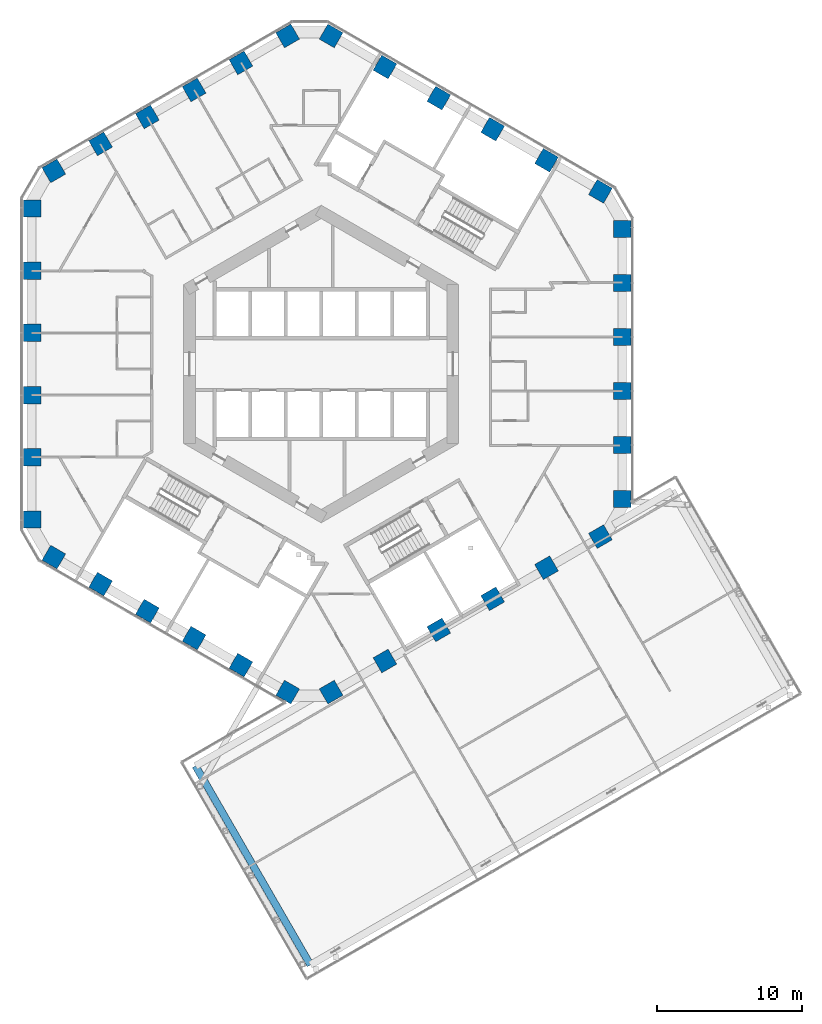
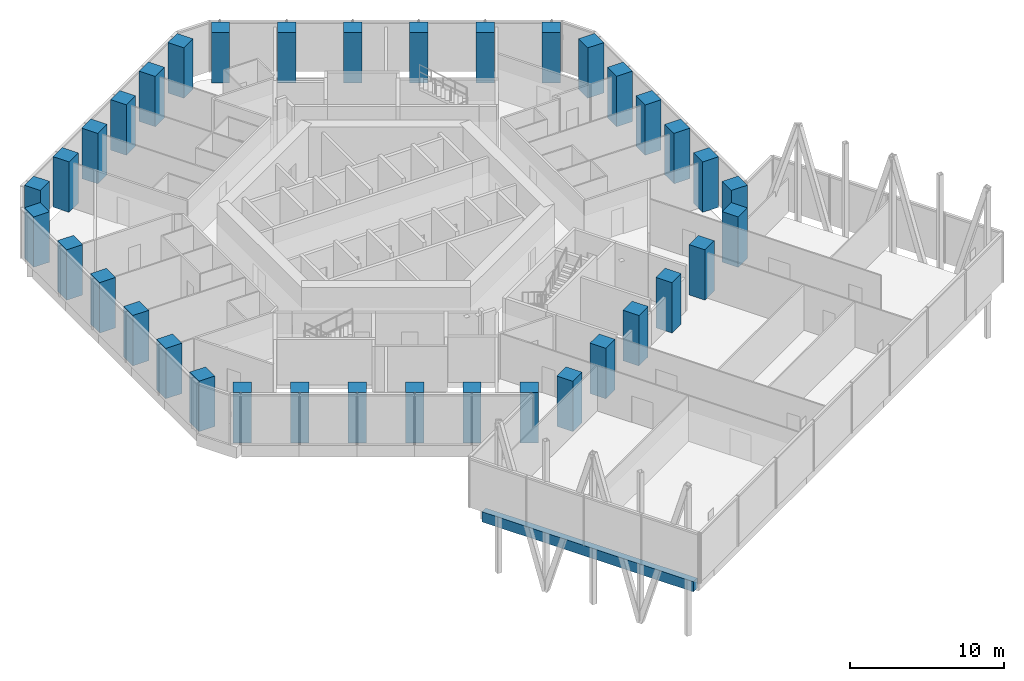
# One storey, part 1 of 27: 36 columns, 1 beam.
"""IFC4 building model written with IfcOpenShell, lengths in metres."""

import ifcopenshell
import ifcopenshell.guid

model = None  # the IFC model being written
_history = None  # IfcOwnerHistory: only IFC2X3 demands one
_inside = {}  # id of a spatial element -> (the spatial element, [elements in it])
_under = {}  # id of a project, library or spatial element -> (it, [spatial elements below it])
_declared = {}  # id of a project -> (the project, [libraries it declares])
_typed = {}  # id of a type object -> (the type object, [elements of that type])
_made_of = {}  # id of a material, layer set ... -> (it, [elements and type objects made of it])


def new_model(schema):
    """Start an empty IFC model of exactly this schema.

    Asked for "IFC4X3", IfcOpenShell would pick the latest addendum, in which some entities
    have other attributes; the version numbers below select the first issue.
    IFC2X3 requires an IfcOwnerHistory on every rooted entity: one is made here for all.
    """
    global model, _history
    if schema == "IFC4X3":
        model = ifcopenshell.file(schema_version=(4, 3, 0, 0))
    else:
        model = ifcopenshell.file(schema=schema)
    _inside.clear()
    _under.clear()
    _declared.clear()
    _typed.clear()
    _made_of.clear()
    _history = None
    if model.schema == "IFC2X3":
        org = make("IfcOrganization", Name="unknown")
        user = make(
            "IfcPersonAndOrganization",
            ThePerson=make("IfcPerson", FamilyName="unknown"),
            TheOrganization=org,
        )
        app = make(
            "IfcApplication",
            ApplicationDeveloper=org,
            Version="unknown",
            ApplicationFullName="unknown",
            ApplicationIdentifier="unknown",
        )
        _history = make(
            "IfcOwnerHistory",
            OwningUser=user,
            OwningApplication=app,
            ChangeAction="ADDED",
            CreationDate=0,
        )
    return model


def make(cls, **values):
    """One entity of the class cls with the attributes given. An attribute that is None is left unset."""
    return model.create_entity(
        cls, **{name: value for name, value in values.items() if value is not None}
    )


def rooted(cls, **values):
    """An entity with a GlobalId (a new one), such as an element, a storey or a relation."""
    return make(cls, GlobalId=ifcopenshell.guid.new(), OwnerHistory=_history, **values)


def si_unit(unit_type, name, prefix=None):
    """IfcSIUnit, for example si_unit("LENGTHUNIT", "METRE", prefix="MILLI")."""
    return make("IfcSIUnit", UnitType=unit_type, Prefix=prefix, Name=name)


def assignment(units):
    """IfcUnitAssignment: the units of a project."""
    return None if units is None else make("IfcUnitAssignment", Units=units)


def point(xyz):
    """IfcCartesianPoint."""
    return None if xyz is None else make("IfcCartesianPoint", Coordinates=xyz)


def direction(xyz):
    """IfcDirection."""
    return None if xyz is None else make("IfcDirection", DirectionRatios=xyz)


def frame(location, z_axis=None, x_axis=None):
    """IfcAxis2Placement3D, a coordinate frame: its origin and axes. An axis left out is left unset."""
    return make(
        "IfcAxis2Placement3D",
        Location=point(location),
        Axis=direction(z_axis),
        RefDirection=direction(x_axis),
    )


def frame_2d(location, x_axis=None):
    """IfcAxis2Placement2D, a coordinate frame in the plane: its origin and x axis."""
    return make(
        "IfcAxis2Placement2D", Location=point(location), RefDirection=direction(x_axis)
    )


def origin():
    """The frame at (0, 0, 0) with its axes left unset."""
    return frame((0.0, 0.0, 0.0))


def origin_2d():
    """The frame at (0, 0) in the plane with its x axis left unset."""
    return frame_2d((0.0, 0.0))


def place(relative_to, where):
    """IfcLocalPlacement: puts the frame where relative to a parent placement (None: the world)."""
    return make(
        "IfcLocalPlacement", PlacementRelTo=relative_to, RelativePlacement=where
    )


def context(
    kind, dimensions, precision=None, world=None, true_north=None, identifier=None
):
    """IfcGeometricRepresentationContext, for example the 3D "Model" context."""
    return make(
        "IfcGeometricRepresentationContext",
        ContextIdentifier=identifier,
        ContextType=kind,
        CoordinateSpaceDimension=dimensions,
        Precision=precision,
        WorldCoordinateSystem=world,
        TrueNorth=true_north,
    )


def subcontext(parent, identifier, kind, view, scale=None):
    """IfcGeometricRepresentationSubContext, for example "Body" below "Model"."""
    return make(
        "IfcGeometricRepresentationSubContext",
        ContextIdentifier=identifier,
        ContextType=kind,
        ParentContext=parent,
        TargetScale=scale,
        TargetView=view,
    )


def project(units=None, contexts=None):
    """IfcProject with its units and contexts."""
    return rooted(
        "IfcProject",
        Name="project",
        RepresentationContexts=contexts,
        UnitsInContext=assignment(units),
    )


def spatial(cls, under=None, at=None, **own):
    """A site, building, storey or space (cls), placed at a placement, below another one or the project."""
    s = rooted(cls, ObjectPlacement=at, **own)
    if under is not None:
        _under.setdefault(under.id(), (under, []))[1].append(s)
    return s


def profile(cls, at=None, kind="AREA", **sizes):
    """A parametric profile (cls). Its sizes go by their IFC names, for example OverallWidth=200.0."""
    return make(cls, ProfileType=kind, Position=at, **sizes)


def rectangle(**sizes):
    """IfcRectangleProfileDef."""
    return profile("IfcRectangleProfileDef", **sizes)


def extrude(swept, where, along, depth):
    """IfcExtrudedAreaSolid: the profile swept, set in the frame where, extruded along a direction by depth."""
    return make(
        "IfcExtrudedAreaSolid",
        SweptArea=swept,
        Position=where,
        ExtrudedDirection=direction(along),
        Depth=depth,
    )


def shape(context_of_items, identifier, shape_type, items):
    """IfcShapeRepresentation: the items that make up one representation, for example the "Body"."""
    return make(
        "IfcShapeRepresentation",
        ContextOfItems=context_of_items,
        RepresentationIdentifier=identifier,
        RepresentationType=shape_type,
        Items=items,
    )


def material(Name=None, Category=None):
    """IfcMaterial."""
    return make("IfcMaterial", Name=Name, Category=Category)


def material_profile(
    of_material, cross_section, Name=None, Category=None, Priority=None
):
    """IfcMaterialProfile: a cross section and its material."""
    return make(
        "IfcMaterialProfile",
        Name=Name,
        Material=of_material,
        Profile=cross_section,
        Priority=Priority,
        Category=Category,
    )


def profile_set(profiles, Name=None, composite=None):
    """IfcMaterialProfileSet."""
    return make(
        "IfcMaterialProfileSet",
        Name=Name,
        MaterialProfiles=profiles,
        CompositeProfile=composite,
    )


def made_of(thing, what):
    """Note that an element or type object is made of a material, layer set ...; save() writes the relation."""
    if what is not None:
        _made_of.setdefault(what.id(), (what, []))[1].append(thing)
    return thing


def type_object(cls, material=None, **own):
    """A type object (cls), such as IfcWallType, which elements share."""
    return made_of(rooted(cls, **own), material)


def element(
    cls,
    number,
    at=None,
    inside=None,
    cuts=None,
    type_object=None,
    material=None,
    context=None,
    identifier="Body",
    shape_type=None,
    held_by="IfcProductDefinitionShape",
    body=None,
    shapes=None,
    **own,
):
    """One element of the class cls, such as IfcWall. Its Tag is "e" and its number.

    at: its placement. inside: the storey or other place that contains it. cuts: it is an
    opening in that element (IfcRelVoidsElement). A single representation is given by context,
    identifier, shape_type and body (its items); several are given by shapes. held_by: the class
    of the entity that holds the representations. save() writes the other relations.
    """
    e = rooted(cls, Tag="e%d" % number, ObjectPlacement=at, **own)
    if body is not None:
        shapes = [shape(context, identifier, shape_type, body)]
    if shapes is not None:
        e.Representation = make(held_by, Representations=shapes)
    if inside is not None:
        _inside.setdefault(inside.id(), (inside, []))[1].append(e)
    if cuts is not None:
        rooted(
            "IfcRelVoidsElement", RelatingBuildingElement=cuts, RelatedOpeningElement=e
        )
    if type_object is not None:
        _typed.setdefault(type_object.id(), (type_object, []))[1].append(e)
    return made_of(e, material)


def aggregate(whole, parts):
    """IfcRelAggregates: a whole, such as a stair, and the parts it consists of."""
    return rooted("IfcRelAggregates", RelatingObject=whole, RelatedObjects=parts)


def save(model, path):
    """Write the relations noted so far, then the file.

    IfcRelAggregates (storeys below a building ...), IfcRelContainedInSpatialStructure (elements
    in a storey), IfcRelDefinesByType, IfcRelAssociatesMaterial and IfcRelDeclares: one each for
    every whole, place, type object, material and project.
    """
    for whole, parts in _under.values():
        aggregate(whole, parts)
    for where, things in _inside.values():
        rooted(
            "IfcRelContainedInSpatialStructure",
            RelatedElements=things,
            RelatingStructure=where,
        )
    for kind, things in _typed.values():
        rooted("IfcRelDefinesByType", RelatedObjects=things, RelatingType=kind)
    for what, things in _made_of.values():
        rooted("IfcRelAssociatesMaterial", RelatedObjects=things, RelatingMaterial=what)
    for by, libraries in _declared.values():
        rooted("IfcRelDeclares", RelatingContext=by, RelatedDefinitions=libraries)
    model.write(path)


model = new_model("IFC4")

# Units and contexts
model_context = context("Model", 3, precision=1e-05, world=origin(), true_north=direction((0.0, 1.0)))
body_context = subcontext(model_context, "Body", "Model", "MODEL_VIEW")
ifc_project = project(units=[si_unit("LENGTHUNIT", "METRE"), si_unit("AREAUNIT", "SQUARE_METRE"), si_unit("VOLUMEUNIT", "CUBIC_METRE"), si_unit("PLANEANGLEUNIT", "RADIAN"), si_unit("MASSUNIT", "GRAM", prefix="KILO")], contexts=[model_context])

# Site, building, storey
site_placement = place(None, origin())
site = spatial("IfcSite", under=ifc_project, at=site_placement, CompositionType="ELEMENT")
building_placement = place(site_placement, origin())
building = spatial("IfcBuilding", under=site, at=building_placement, Name="Ayvan Gate Tower", CompositionType="ELEMENT")
storey_placement = place(building_placement, frame((0.0, 0.0, 70.300048828125)))
storey = spatial("IfcBuildingStorey", under=building, at=storey_placement, Name="L18", CompositionType="ELEMENT", Elevation=70.300048828125)

# Columns
ifc_material_1 = material(Name="Concrete C70/85", Category="concrete")
ifc_material_profile_1 = material_profile(ifc_material_1, rectangle(XDim=1.199951171875, YDim=1.199951171875, at=origin_2d()), Name="RC 1200x1200")
ifc_profile_set_1 = profile_set([ifc_material_profile_1], Name="Concrete C70/85")
column_type = type_object("IfcColumnType", Name="Tube column RC 1200x1200 C70/85", PredefinedType="COLUMN", material=ifc_profile_set_1)
for number, where, z_axis, x_axis, name in (
    (1, (20.78466796875, -9.32470703125, 0.0), (0.0, 0.0, 1.0), (1.0, 0.0, 0.0), "C-T0-0-L18"),
    (2, (20.78466796875, -5.5947265625, 0.0), (0.0, 0.0, 1.0), (1.0, 0.0, 0.0), "C-T0-1-L18"),
    (3, (20.78466796875, -1.864990234375, 0.0), (0.0, 0.0, 1.0), (1.0, 0.0, 0.0), "C-T0-2-L18"),
    (4, (20.78466796875, 1.864990234375, 0.0), (0.0, 0.0, 1.0), (1.0, 0.0, 0.0), "C-T0-3-L18"),
    (5, (20.78466796875, 5.5947265625, 0.0), (0.0, 0.0, 1.0), (1.0, 0.0, 0.0), "C-T0-4-L18"),
    (6, (20.78466796875, 9.32470703125, 0.0), (0.0, 0.0, 1.0), (1.0, 0.0, 0.0), "C-T0-5-L18"),
    (7, (19.28466796875, 11.9228515625, 0.0), (0.0, 0.0, 1.0), (0.5, 0.866025403784, 0.0), "C-T1-0-L18"),
    (8, (15.564208984375, 14.070556640625, 0.0), (0.0, 0.0, 1.0), (0.5, 0.866025403784, 0.0), "C-T1-1-L18"),
    (9, (11.843994140625, 16.218505859375, 0.0), (0.0, 0.0, 1.0), (0.5, 0.866025403784, 0.0), "C-T1-2-L18"),
    (10, (8.123779296875, 18.366455078125, 0.0), (0.0, 0.0, 1.0), (0.5, 0.866025403784, 0.0), "C-T1-3-L18"),
    (11, (4.4033203125, 20.514404296875, 0.0), (0.0, 0.0, 1.0), (0.5, 0.866025403784, 0.0), "C-T1-4-L18"),
    (12, (0.68310546875, 22.662353515625, 0.0), (0.0, 0.0, 1.0), (0.5, 0.866025403784, 0.0), "C-T1-5-L18"),
    (13, (-2.31689453125, 22.662353515625, 0.0), (0.0, 0.0, 1.0), (-0.5, 0.866025403784, 0.0), "C-T2-0-L18"),
    (14, (-5.547119140625, 20.79736328125, 0.0), (0.0, 0.0, 1.0), (-0.5, 0.866025403784, 0.0), "C-T2-1-L18"),
    (15, (-8.77734375, 18.932373046875, 0.0), (0.0, 0.0, 1.0), (-0.5, 0.866025403784, 0.0), "C-T2-2-L18"),
    (16, (-12.00732421875, 17.067626953125, 0.0), (0.0, 0.0, 1.0), (-0.5, 0.866025403784, 0.0), "C-T2-3-L18"),
    (17, (-15.237548828125, 15.20263671875, 0.0), (0.0, 0.0, 1.0), (-0.5, 0.866025403784, 0.0), "C-T2-4-L18"),
    (18, (-18.4677734375, 13.337646484375, 0.0), (0.0, 0.0, 1.0), (-0.5, 0.866025403784, 0.0), "C-T2-5-L18"),
    (19, (-19.9677734375, 10.739501953125, 0.0), (0.0, 0.0, 1.0), (-1.0, 0.0, 0.0), "C-T3-0-L18"),
    (20, (-19.9677734375, 6.44384765625, 0.0), (0.0, 0.0, 1.0), (-1.0, 0.0, 0.0), "C-T3-1-L18"),
    (21, (-19.9677734375, 2.14794921875, 0.0), (0.0, 0.0, 1.0), (-1.0, 0.0, 0.0), "C-T3-2-L18"),
    (22, (-19.9677734375, -2.14794921875, 0.0), (0.0, 0.0, 1.0), (-1.0, 0.0, 0.0), "C-T3-3-L18"),
    (23, (-19.9677734375, -6.44384765625, 0.0), (0.0, 0.0, 1.0), (-1.0, 0.0, 0.0), "C-T3-4-L18"),
    (24, (-19.9677734375, -10.739501953125, 0.0), (0.0, 0.0, 1.0), (-1.0, 0.0, 0.0), "C-T3-5-L18"),
    (25, (-18.4677734375, -13.337646484375, 0.0), (0.0, 0.0, 1.0), (-0.5, -0.866025403784, 0.0), "C-T4-0-L18"),
    (26, (-15.237548828125, -15.20263671875, 0.0), (0.0, 0.0, 1.0), (-0.5, -0.866025403784, 0.0), "C-T4-1-L18"),
    (27, (-12.00732421875, -17.067626953125, 0.0), (0.0, 0.0, 1.0), (-0.5, -0.866025403784, 0.0), "C-T4-2-L18"),
    (28, (-8.77734375, -18.932373046875, 0.0), (0.0, 0.0, 1.0), (-0.5, -0.866025403784, 0.0), "C-T4-3-L18"),
    (29, (-5.547119140625, -20.79736328125, 0.0), (0.0, 0.0, 1.0), (-0.5, -0.866025403784, 0.0), "C-T4-4-L18"),
    (30, (-2.31689453125, -22.662353515625, 0.0), (0.0, 0.0, 1.0), (-0.5, -0.866025403784, 0.0), "C-T4-5-L18"),
    (31, (0.68310546875, -22.662353515625, 0.0), (0.0, 0.0, 1.0), (0.5, -0.866025403784, 0.0), "C-T5-0-L18"),
    (32, (4.4033203125, -20.514404296875, 0.0), (0.0, 0.0, 1.0), (0.5, -0.866025403784, 0.0), "C-T5-1-L18"),
    (33, (8.123779296875, -18.366455078125, 0.0), (0.0, 0.0, 1.0), (0.5, -0.866025403784, 0.0), "C-T5-2-L18"),
    (34, (11.843994140625, -16.218505859375, 0.0), (0.0, 0.0, 1.0), (0.5, -0.866025403784, 0.0), "C-T5-3-L18"),
    (35, (15.564208984375, -14.070556640625, 0.0), (0.0, 0.0, 1.0), (0.5, -0.866025403784, 0.0), "C-T5-4-L18"),
    (36, (19.28466796875, -11.9228515625, 0.0), (0.0, 0.0, 1.0), (0.5, -0.866025403784, 0.0), "C-T5-5-L18"),
):
    element("IfcColumn", number, at=place(storey_placement, frame(where, z_axis=z_axis, x_axis=x_axis)), inside=storey, type_object=column_type, Name=name, PredefinedType="COLUMN", context=body_context, shape_type="SweptSolid", body=[
        extrude(rectangle(XDim=1.199951171875, YDim=1.199951171875, at=origin_2d()), origin(), (0.0, 0.0, 1.0), 4.0),
    ])

# Beam
ifc_material_2 = material(Name="Concrete C40/50", Category="concrete")
ifc_material_profile_2 = material_profile(ifc_material_2, rectangle(XDim=0.5, YDim=0.800048828125, at=origin_2d()), Name="RC 500x800")
ifc_profile_set_2 = profile_set([ifc_material_profile_2], Name="Concrete C40/50")
beam_type = type_object("IfcBeamType", Name="Sky bar edge beam RC 500x800 C40/50", PredefinedType="BEAM", material=ifc_profile_set_2)
beam_placement = place(storey_placement, frame((-0.746826171875, -41.506591796875, -0.800048828125), z_axis=(-0.499995891842, 0.866027775618, 0.0), x_axis=(-0.866027775618, -0.499995891842, 0.0)))
element("IfcBeam", 37, at=beam_placement, inside=storey, type_object=beam_type, Name="EB-B1-L18-8", PredefinedType="BEAM", context=body_context, shape_type="SweptSolid", body=[
    extrude(rectangle(XDim=0.5, YDim=0.800048828125, at=origin_2d()), origin(), (0.0, 0.0, 1.0), 15.869873046875),
])

save(model, "model.ifc")
